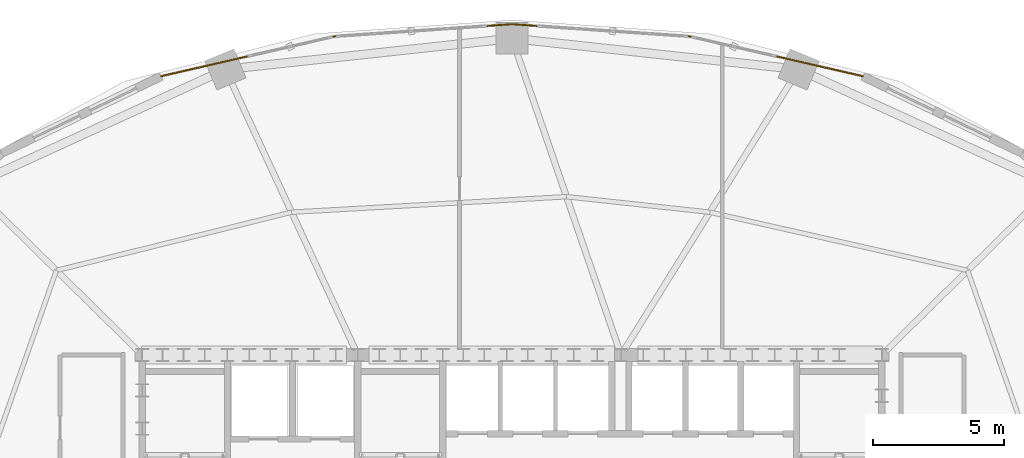
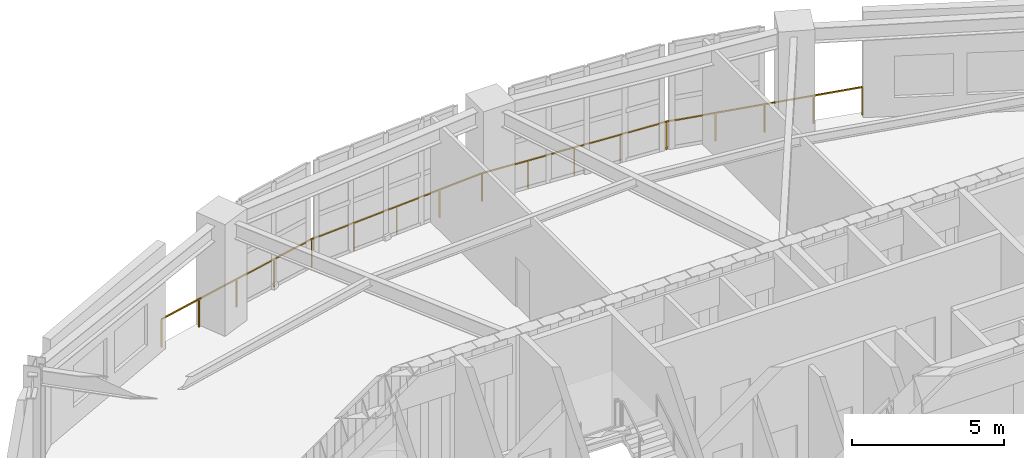
# One storey, part 15 of 15: 4 railings.
"""IFC4 building model written with IfcOpenShell, lengths in metres."""

from ifc_helpers import new_model, si_unit, direction, frame, origin, origin_2d, place, context, subcontext, project, spatial, rectangle, extrude, material, type_object, element, save


model = new_model("IFC4")

# Units and contexts
model_context = context("Model", 3, precision=1e-05, world=origin(), true_north=direction((0.0, 1.0)))
body_context = subcontext(model_context, "Body", "Model", "MODEL_VIEW")
ifc_project = project(units=[si_unit("LENGTHUNIT", "METRE"), si_unit("AREAUNIT", "SQUARE_METRE"), si_unit("VOLUMEUNIT", "CUBIC_METRE"), si_unit("PLANEANGLEUNIT", "RADIAN"), si_unit("MASSUNIT", "GRAM", prefix="KILO")], contexts=[model_context])

# Site, building, storey
site_placement = place(None, origin())
site = spatial("IfcSite", under=ifc_project, at=site_placement, CompositionType="ELEMENT")
building_placement = place(site_placement, origin())
building = spatial("IfcBuilding", under=site, at=building_placement, Name="Haldorwick Loom Tower", CompositionType="ELEMENT")
storey_placement = place(building_placement, frame((0.0, 0.0, 105.949951171875)))
storey = spatial("IfcBuildingStorey", under=building, at=storey_placement, Name="L28", CompositionType="ELEMENT", Elevation=105.949951171875)

# Railings
ifc_material = material(Name="Galvanized Steel CSA G40.21 350W", Category="steel")
railing_type = type_object("IfcRailingType", Name="ARC-RLG-BAL115", PredefinedType="BALUSTRADE", material=ifc_material)
railing_1_placement = place(storey_placement, frame((49.352783203125, 46.158447265625, 0.0)))
element("IfcRailing", 1, at=railing_1_placement, inside=storey, type_object=railing_type, Name="L28 Curtain-Wall Sill Safety Guardrail 5", PredefinedType="BALUSTRADE", context=body_context, shape_type="SweptSolid", body=[
    extrude(rectangle(XDim=0.048095703125, YDim=0.048095703125, at=origin_2d()), frame((0.0, 0.0, 1.1259765625), z_axis=(-0.974584177714, 0.224021607329, 0.0), x_axis=(-0.224021607329, -0.974584177714, 0.0)), (0.0, 0.0, 1.0), 6.767822265625),
    extrude(rectangle(XDim=0.0419921875, YDim=0.0419921875, at=origin_2d()), origin(), (0.0, 0.0, 1.0), 1.101806640625),
    extrude(rectangle(XDim=0.0419921875, YDim=0.0419921875, at=origin_2d()), frame((-1.64892578125, 0.37890625, 0.0)), (0.0, 0.0, 1.0), 1.101806640625),
    extrude(rectangle(XDim=0.0419921875, YDim=0.0419921875, at=origin_2d()), frame((-3.2978515625, 0.758056640625, 0.0)), (0.0, 0.0, 1.0), 1.101806640625),
    extrude(rectangle(XDim=0.0419921875, YDim=0.0419921875, at=origin_2d()), frame((-4.94677734375, 1.13720703125, 0.0)), (0.0, 0.0, 1.0), 1.101806640625),
    extrude(rectangle(XDim=0.0419921875, YDim=0.0419921875, at=origin_2d()), frame((-6.595703125, 1.51611328125, 0.0)), (0.0, 0.0, 1.0), 1.101806640625),
])
railing_2_placement = place(storey_placement, frame((42.757080078125, 47.674560546875, 0.0)))
element("IfcRailing", 2, at=railing_2_placement, inside=storey, type_object=railing_type, Name="L28 Curtain-Wall Sill Safety Guardrail 6", PredefinedType="BALUSTRADE", context=body_context, shape_type="SweptSolid", body=[
    extrude(rectangle(XDim=0.048095703125, YDim=0.048095703125, at=origin_2d()), frame((0.0, 0.0, 1.1259765625), z_axis=(-0.997651949344, 0.068487867318, 0.0), x_axis=(-0.068487867318, -0.997651949344, 0.0)), (0.0, 0.0, 1.0), 6.77294921875),
    extrude(rectangle(XDim=0.0419921875, YDim=0.0419921875, at=origin_2d()), origin(), (0.0, 0.0, 1.0), 1.101806640625),
    extrude(rectangle(XDim=0.0419921875, YDim=0.0419921875, at=origin_2d()), frame((-1.689208984375, 0.115966796875, 0.0)), (0.0, 0.0, 1.0), 1.101806640625),
    extrude(rectangle(XDim=0.0419921875, YDim=0.0419921875, at=origin_2d()), frame((-3.37841796875, 0.23193359375, 0.0)), (0.0, 0.0, 1.0), 1.101806640625),
    extrude(rectangle(XDim=0.0419921875, YDim=0.0419921875, at=origin_2d()), frame((-5.06787109375, 0.347900390625, 0.0)), (0.0, 0.0, 1.0), 1.101806640625),
    extrude(rectangle(XDim=0.0419921875, YDim=0.0419921875, at=origin_2d()), frame((-6.757080078125, 0.4638671875, 0.0)), (0.0, 0.0, 1.0), 1.101806640625),
])
railing_3_placement = place(storey_placement, frame((36.0, 48.138427734375, 0.0)))
element("IfcRailing", 3, at=railing_3_placement, inside=storey, type_object=railing_type, Name="L28 Curtain-Wall Sill Safety Guardrail 7", PredefinedType="BALUSTRADE", context=body_context, shape_type="SweptSolid", body=[
    extrude(rectangle(XDim=0.048095703125, YDim=0.048095703125, at=origin_2d()), frame((0.0, 0.0, 1.1259765625), z_axis=(-0.997651949344, -0.068487867318, 0.0), x_axis=(0.068487867318, -0.997651949344, 0.0)), (0.0, 0.0, 1.0), 6.77294921875),
    extrude(rectangle(XDim=0.0419921875, YDim=0.0419921875, at=origin_2d()), origin(), (0.0, 0.0, 1.0), 1.101806640625),
    extrude(rectangle(XDim=0.0419921875, YDim=0.0419921875, at=origin_2d()), frame((-1.689208984375, -0.115966796875, 0.0)), (0.0, 0.0, 1.0), 1.101806640625),
    extrude(rectangle(XDim=0.0419921875, YDim=0.0419921875, at=origin_2d()), frame((-3.37841796875, -0.23193359375, 0.0)), (0.0, 0.0, 1.0), 1.101806640625),
    extrude(rectangle(XDim=0.0419921875, YDim=0.0419921875, at=origin_2d()), frame((-5.06787109375, -0.347900390625, 0.0)), (0.0, 0.0, 1.0), 1.101806640625),
    extrude(rectangle(XDim=0.0419921875, YDim=0.0419921875, at=origin_2d()), frame((-6.757080078125, -0.4638671875, 0.0)), (0.0, 0.0, 1.0), 1.101806640625),
])
railing_4_placement = place(storey_placement, frame((29.242919921875, 47.674560546875, 0.0)))
element("IfcRailing", 4, at=railing_4_placement, inside=storey, type_object=railing_type, Name="L28 Curtain-Wall Sill Safety Guardrail 8", PredefinedType="BALUSTRADE", context=body_context, shape_type="SweptSolid", body=[
    extrude(rectangle(XDim=0.048095703125, YDim=0.048095703125, at=origin_2d()), frame((0.0, 0.0, 1.1259765625), z_axis=(-0.974584177714, -0.224021607329, 0.0), x_axis=(0.224021607329, -0.974584177714, 0.0)), (0.0, 0.0, 1.0), 6.767822265625),
    extrude(rectangle(XDim=0.0419921875, YDim=0.0419921875, at=origin_2d()), origin(), (0.0, 0.0, 1.0), 1.101806640625),
    extrude(rectangle(XDim=0.0419921875, YDim=0.0419921875, at=origin_2d()), frame((-1.64892578125, -0.37890625, 0.0)), (0.0, 0.0, 1.0), 1.101806640625),
    extrude(rectangle(XDim=0.0419921875, YDim=0.0419921875, at=origin_2d()), frame((-3.2978515625, -0.758056640625, 0.0)), (0.0, 0.0, 1.0), 1.101806640625),
    extrude(rectangle(XDim=0.0419921875, YDim=0.0419921875, at=origin_2d()), frame((-4.94677734375, -1.13720703125, 0.0)), (0.0, 0.0, 1.0), 1.101806640625),
    extrude(rectangle(XDim=0.0419921875, YDim=0.0419921875, at=origin_2d()), frame((-6.595703125, -1.51611328125, 0.0)), (0.0, 0.0, 1.0), 1.101806640625),
])

save(model, "model.ifc")
